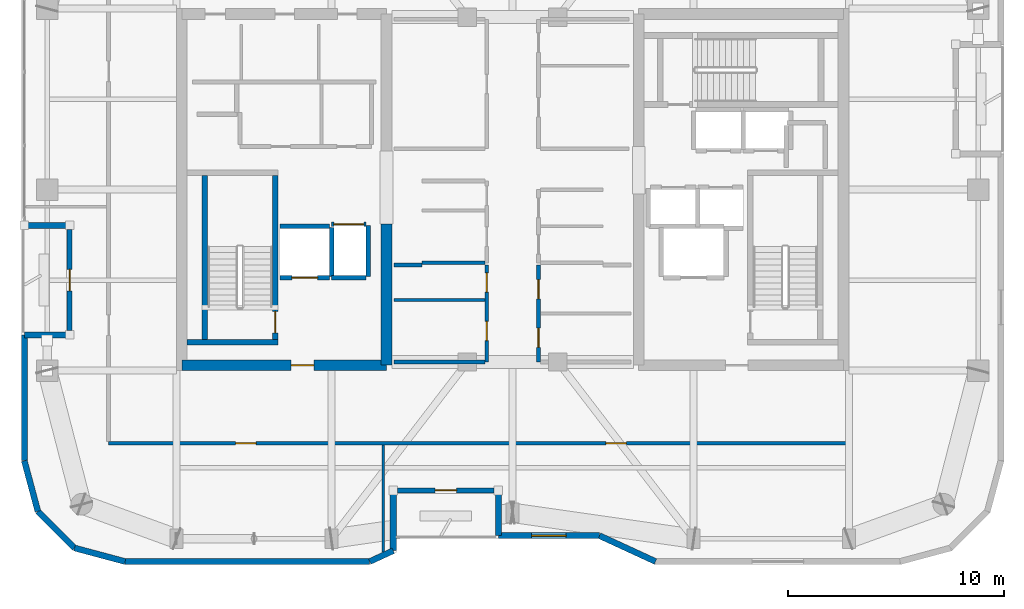
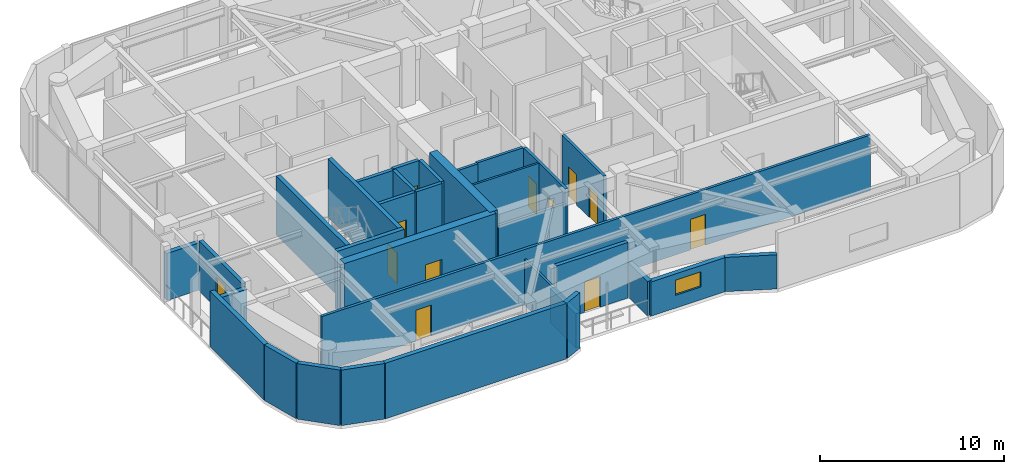
# One storey, part 10 of 15: 33 walls, 12 doors, 1 window, 13 openings.
"""IFC4 building model written with IfcOpenShell, lengths in metres."""

from ifc_helpers import new_model, si_unit, direction, frame, frame_2d, origin, place, context, subcontext, project, spatial, rectangle, extrude, material, layer, layer_set, type_object, element, fill, save


model = new_model("IFC4")

# Units and contexts
model_context = context("Model", 3, precision=1e-05, world=origin(), true_north=direction((0.0, 1.0)))
body_context = subcontext(model_context, "Body", "Model", "MODEL_VIEW")
ifc_project = project(units=[si_unit("LENGTHUNIT", "METRE"), si_unit("AREAUNIT", "SQUARE_METRE"), si_unit("VOLUMEUNIT", "CUBIC_METRE"), si_unit("PLANEANGLEUNIT", "RADIAN"), si_unit("MASSUNIT", "GRAM", prefix="KILO")], contexts=[model_context])

# Site, building, storey
site_placement = place(None, origin())
site = spatial("IfcSite", under=ifc_project, at=site_placement, CompositionType="ELEMENT")
building_placement = place(site_placement, origin())
building = spatial("IfcBuilding", under=site, at=building_placement, Name="Kiyonajd Concourse Tower", CompositionType="ELEMENT")
storey_placement = place(building_placement, frame((0.0, 0.0, 286.199951171875)))
storey = spatial("IfcBuildingStorey", under=building, at=storey_placement, Name="L72", CompositionType="ELEMENT", Elevation=286.199951171875)

# Wall
ifc_material_1 = material(Name="Concrete C60/75", Category="concrete")
ifc_layer_1 = layer(ifc_material_1, 0.5)
ifc_layer_set_1 = layer_set([ifc_layer_1], Name="Concrete C60/75")
wall_type_1 = type_object("IfcWallType", Name="WL-CORE-500", PredefinedType="SHEAR", material=ifc_layer_set_1)
wall_1_placement = place(storey_placement, frame((42.14990234375, 27.85009765625, 0.0), z_axis=(0.0, 0.0, 1.0), x_axis=(0.0, 1.0, 0.0)))
element("IfcWall", 1, at=wall_1_placement, inside=storey, type_object=wall_type_1, Name="L72 West Core Inner South Shear Wall", PredefinedType="SHEAR", context=body_context, shape_type="SweptSolid", body=[
    extrude(rectangle(XDim=6.5498046875, YDim=0.5, at=frame_2d((3.27490234375, 0.0))), origin(), (0.0, 0.0, 1.0), 3.900146484375),
])

# Wall, opening, door
wall_2_placement = place(storey_placement, frame((32.64990234375, 27.85009765625, 0.0), z_axis=(0.0, 0.0, 1.0), x_axis=(1.0, 0.0, 0.0)))
wall_2 = element("IfcWall", 2, at=wall_2_placement, inside=storey, type_object=wall_type_1, Name="L72 West Core South Shear Wall", PredefinedType="SHEAR", context=body_context, shape_type="SweptSolid", body=[
    extrude(rectangle(XDim=9.5, YDim=0.5, at=frame_2d((4.75, 0.0))), origin(), (0.0, 0.0, 1.0), 3.900146484375),
])
opening_1_placement = place(wall_2_placement, frame((5.074951171875, 0.0, 0.0)))
opening_1 = element("IfcOpeningElement", 3, at=opening_1_placement, cuts=wall_2, Name="Opening DF5", PredefinedType="OPENING", context=body_context, shape_type="SweptSolid", body=[
    extrude(rectangle(XDim=1.050048828125, YDim=2.0400390625, at=frame_2d((0.52490234375, 1.02001953125))), frame((0.0, 0.260009765625, 0.0), z_axis=(0.0, -1.0, 0.0), x_axis=(1.0, 0.0, 0.0)), (0.0, 0.0, 1.0), 0.52001953125),
])
ifc_material_2 = material(Name="Brushed Stainless Steel Cab Assembly", Category="steel")
door_type_1 = type_object("IfcDoorType", Name="DR-FD45-1050", OperationType="NOTDEFINED", PredefinedType="DOOR", material=ifc_material_2)
door_1_placement = place(opening_1_placement, origin())
door_1 = element("IfcDoor", 4, at=door_1_placement, inside=storey, type_object=door_type_1, Name="L72 Firefighting Lift Lobby W Smoke Door", OperationType="SINGLE_SWING_LEFT", OverallHeight=2.0400390625, OverallWidth=1.050048828125, PredefinedType="DOOR", context=body_context, shape_type="SweptSolid", body=[
    extrude(rectangle(XDim=1.050048828125, YDim=2.0400390625, at=frame_2d((0.52490234375, 1.02001953125))), frame((0.0, 0.02490234375, 0.0), z_axis=(0.0, -1.0, 0.0), x_axis=(1.0, 0.0, 0.0)), (0.0, 0.0, 1.0), 0.050048828125),
])
fill(opening_1, door_1)

# Walls
ifc_material_3 = material(Name="Precast concrete C50/60", Category="concrete")
ifc_layer_2 = layer(ifc_material_3, 0.280029296875)
ifc_layer_set_2 = layer_set([ifc_layer_2], Name="Precast concrete C50/60")
wall_type_2 = type_object("IfcWallType", Name="WL-EXT-280", PredefinedType="SOLIDWALL", material=ifc_layer_set_2)
wall_3_placement = place(storey_placement, frame((25.968505859375, 21.072509765625, 0.0), z_axis=(0.0, 0.0, 1.0), x_axis=(-0.258751159445, 0.965944013639, 0.0)))
element("IfcWall", 5, at=wall_3_placement, inside=storey, type_object=wall_type_2, Name="L72 Exterior Concrete Frame Wall 00", PredefinedType="SOLIDWALL", context=body_context, shape_type="SweptSolid", body=[
    extrude(rectangle(XDim=2.4287109375, YDim=0.280029296875, at=frame_2d((1.21435546875, 0.0))), origin(), (0.0, 0.0, 1.0), 3.679931640625),
])
wall_4_placement = place(storey_placement, frame((25.340087890625, 23.41845703125, 0.0), z_axis=(0.0, 0.0, 1.0), x_axis=(0.0, 1.0, 0.0)))
element("IfcWall", 6, at=wall_4_placement, inside=storey, type_object=wall_type_2, Name="L72 Exterior Concrete Frame Wall 01", PredefinedType="SOLIDWALL", context=body_context, shape_type="SweptSolid", body=[
    extrude(rectangle(XDim=5.841552734375, YDim=0.280029296875, at=frame_2d((2.9208984375, 0.0))), origin(), (0.0, 0.0, 1.0), 3.679931640625),
])
for number, where, z_axis, x_axis, name in (
    (7, (25.340087890625, 29.260009765625, 0.0), (0.0, 0.0, 1.0), (1.0, 0.0, 0.0), "L72 Exterior Concrete Frame Wall 02"),
    (8, (27.43994140625, 34.340087890625, 0.0), (0.0, 0.0, 1.0), (-1.0, 0.0, 0.0), "L72 Exterior Concrete Frame Wall 04"),
):
    element("IfcWall", number, at=place(storey_placement, frame(where, z_axis=z_axis, x_axis=x_axis)), inside=storey, type_object=wall_type_2, Name=name, PredefinedType="SOLIDWALL", context=body_context, shape_type="SweptSolid", body=[
        extrude(rectangle(XDim=2.099853515625, YDim=0.280029296875, at=frame_2d((1.0498046875, 0.0))), origin(), (0.0, 0.0, 1.0), 3.1259765625),
    ])
wall_5_placement = place(storey_placement, frame((54.630615234375, 18.739990234375, 0.0), z_axis=(0.0, 0.0, 1.0), x_axis=(-0.907956889006, 0.419063584324, 0.0)))
element("IfcWall", 9, at=wall_5_placement, inside=storey, type_object=wall_type_2, Name="L72 Exterior Concrete Frame Wall 29", PredefinedType="SOLIDWALL", context=body_context, shape_type="SweptSolid", body=[
    extrude(rectangle(XDim=2.863525390625, YDim=0.280029296875, at=frame_2d((1.431640625, 0.0))), origin(), (0.0, 0.0, 1.0), 2.26513671875),
])

# Wall, opening, window
wall_6_placement = place(storey_placement, frame((52.03076171875, 19.93994140625, 0.0), z_axis=(0.0, 0.0, 1.0), x_axis=(-1.0, 0.0, 0.0)))
wall_6 = element("IfcWall", 10, at=wall_6_placement, inside=storey, type_object=wall_type_2, Name="L72 Exterior Concrete Frame Wall 30", PredefinedType="SOLIDWALL", context=body_context, shape_type="SweptSolid", body=[
    extrude(rectangle(XDim=4.690673828125, YDim=0.280029296875, at=frame_2d((2.34521484375, 0.0))), origin(), (0.0, 0.0, 1.0), 2.26513671875),
])
opening_2_placement = place(wall_6_placement, frame((1.544921875, 0.0, 0.85009765625)))
opening_2 = element("IfcOpeningElement", 11, at=opening_2_placement, cuts=wall_6, Name="Opening WN6", PredefinedType="OPENING", context=body_context, shape_type="SweptSolid", body=[
    extrude(rectangle(XDim=1.60009765625, YDim=1.0, at=frame_2d((0.800048828125, 0.5))), frame((0.0, 0.14990234375, 0.0), z_axis=(0.0, -1.0, 0.0), x_axis=(1.0, 0.0, 0.0)), (0.0, 0.0, 1.0), 0.300048828125),
])
ifc_material_4 = material(Name="Double Low-E Insulated Glass", Category="glass")
window_type = type_object("IfcWindowType", Name="WN-VIS-1600x1000", PartitioningType="SINGLE_PANEL", PredefinedType="WINDOW", material=ifc_material_4)
window_placement = place(opening_2_placement, origin())
window = element("IfcWindow", 12, at=window_placement, inside=storey, type_object=window_type, Name="L72 Modular Facade Vision Window 30", OverallHeight=1.0, OverallWidth=1.60009765625, PartitioningType="SINGLE_PANEL", PredefinedType="WINDOW", context=body_context, shape_type="SweptSolid", body=[
    extrude(rectangle(XDim=1.60009765625, YDim=1.0, at=frame_2d((0.800048828125, 0.5))), frame((0.0, 0.030029296875, 0.0), z_axis=(0.0, -1.0, 0.0), x_axis=(1.0, 0.0, 0.0)), (0.0, 0.0, 1.0), 0.06005859375),
])
fill(opening_2, window)

# Walls
wall_7_placement = place(storey_placement, frame((47.340087890625, 19.93994140625, 0.0), z_axis=(0.0, 0.0, 1.0), x_axis=(0.0, 1.0, 0.0)))
element("IfcWall", 13, at=wall_7_placement, inside=storey, type_object=wall_type_2, Name="L72 Exterior Concrete Frame Wall 31", PredefinedType="SOLIDWALL", context=body_context, shape_type="SweptSolid", body=[
    extrude(rectangle(XDim=2.10009765625, YDim=0.280029296875, at=frame_2d((1.050048828125, 0.0))), origin(), (0.0, 0.0, 1.0), 2.26513671875),
])
wall_8_placement = place(storey_placement, frame((42.4599609375, 22.0400390625, 0.0), z_axis=(0.0, 0.0, 1.0), x_axis=(0.0, -1.0, 0.0)))
element("IfcWall", 14, at=wall_8_placement, inside=storey, type_object=wall_type_2, Name="L72 Exterior Concrete Frame Wall 33", PredefinedType="SOLIDWALL", context=body_context, shape_type="SweptSolid", body=[
    extrude(rectangle(XDim=2.79638671875, YDim=0.280029296875, at=frame_2d((1.398193359375, 0.0))), origin(), (0.0, 0.0, 1.0), 2.26513671875),
])
wall_9_placement = place(storey_placement, frame((42.4599609375, 19.24365234375, 0.0), z_axis=(0.0, 0.0, 1.0), x_axis=(-0.907893953211, -0.419199916176, 0.0)))
element("IfcWall", 15, at=wall_9_placement, inside=storey, type_object=wall_type_2, Name="L72 Exterior Concrete Frame Wall 34", PredefinedType="SOLIDWALL", context=body_context, shape_type="SweptSolid", body=[
    extrude(rectangle(XDim=1.201416015625, YDim=0.280029296875, at=frame_2d((0.6005859375, 0.0))), origin(), (0.0, 0.0, 1.0), 3.679931640625),
])
wall_10_placement = place(storey_placement, frame((41.369140625, 18.739990234375, 0.0), z_axis=(0.0, 0.0, 1.0), x_axis=(-1.0, 0.0, 0.0)))
element("IfcWall", 16, at=wall_10_placement, inside=storey, type_object=wall_type_2, Name="L72 Exterior Concrete Frame Wall 35", PredefinedType="SOLIDWALL", context=body_context, shape_type="SweptSolid", body=[
    extrude(rectangle(XDim=11.350830078125, YDim=0.280029296875, at=frame_2d((5.67529296875, 0.0))), origin(), (0.0, 0.0, 1.0), 3.679931640625),
])
wall_11_placement = place(storey_placement, frame((30.018310546875, 18.739990234375, 0.0), z_axis=(0.0, 0.0, 1.0), x_axis=(-0.965937282298, 0.25877628691, 0.0)))
element("IfcWall", 17, at=wall_11_placement, inside=storey, type_object=wall_type_2, Name="L72 Exterior Concrete Frame Wall 36", PredefinedType="SOLIDWALL", context=body_context, shape_type="SweptSolid", body=[
    extrude(rectangle(XDim=2.428466796875, YDim=0.280029296875, at=frame_2d((1.21435546875, 0.0))), origin(), (0.0, 0.0, 1.0), 3.679931640625),
])
wall_12_placement = place(storey_placement, frame((27.672607421875, 19.368408203125, 0.0), z_axis=(0.0, 0.0, 1.0), x_axis=(-0.707106781187, 0.707106781187, 0.0)))
element("IfcWall", 18, at=wall_12_placement, inside=storey, type_object=wall_type_2, Name="L72 Exterior Concrete Frame Wall 37", PredefinedType="SOLIDWALL", context=body_context, shape_type="SweptSolid", body=[
    extrude(rectangle(XDim=2.409912109375, YDim=0.280029296875, at=frame_2d((1.205078125, 0.0))), origin(), (0.0, 0.0, 1.0), 3.679931640625),
])

# Wall, opening, door
ifc_layer_3 = layer(ifc_material_3, 0.239990234375)
ifc_layer_set_3 = layer_set([ifc_layer_3], Name="Precast concrete C50/60")
wall_type_3 = type_object("IfcWallType", Name="WL-LOG-240", PredefinedType="SOLIDWALL", material=ifc_layer_set_3)
wall_13_placement = place(storey_placement, frame((27.43994140625, 29.455078125, 0.0), z_axis=(0.0, 0.0, 1.0), x_axis=(0.0, 1.0, 0.0)))
wall_13 = element("IfcWall", 19, at=wall_13_placement, inside=storey, type_object=wall_type_3, Name="L72 Recessed Loggia Thermal Wall LOG-W", PredefinedType="SOLIDWALL", context=body_context, shape_type="SweptSolid", body=[
    extrude(rectangle(XDim=4.68994140625, YDim=0.239990234375, at=frame_2d((2.344970703125, 0.0))), origin(), (0.0, 0.0, 1.0), 3.31103515625),
])
opening_3_placement = place(wall_13_placement, frame((1.844970703125, 0.0, 0.0)))
opening_3 = element("IfcOpeningElement", 20, at=opening_3_placement, cuts=wall_13, Name="Opening DL1", PredefinedType="OPENING", context=body_context, shape_type="SweptSolid", body=[
    extrude(rectangle(XDim=1.0, YDim=2.02001953125, at=frame_2d((0.5, 1.010009765625))), frame((0.0, 0.1298828125, 0.0), z_axis=(0.0, -1.0, 0.0), x_axis=(1.0, 0.0, 0.0)), (0.0, 0.0, 1.0), 0.260009765625),
])
ifc_material_5 = material(Name="Thermally Broken Anodised Aluminium", Category="aluminium")
door_type_2 = type_object("IfcDoorType", Name="DR-LOG-1000", OperationType="NOTDEFINED", PredefinedType="DOOR", material=ifc_material_5)
door_2_placement = place(opening_3_placement, origin())
door_2 = element("IfcDoor", 21, at=door_2_placement, inside=storey, type_object=door_type_2, Name="L72 Engawa Loggia Access Door LOG-W", OperationType="SINGLE_SWING_LEFT", OverallHeight=2.02001953125, OverallWidth=1.0, PredefinedType="DOOR", context=body_context, shape_type="SweptSolid", body=[
    extrude(rectangle(XDim=1.0, YDim=2.02001953125, at=frame_2d((0.5, 1.010009765625))), frame((0.0, 0.02490234375, 0.0), z_axis=(0.0, -1.0, 0.0), x_axis=(1.0, 0.0, 0.0)), (0.0, 0.0, 1.0), 0.050048828125),
])
fill(opening_3, door_2)

wall_14_placement = place(storey_placement, frame((47.14501953125, 22.0400390625, 0.0), z_axis=(0.0, 0.0, 1.0), x_axis=(-1.0, 0.0, 0.0)))
wall_14 = element("IfcWall", 22, at=wall_14_placement, inside=storey, type_object=wall_type_3, Name="L72 Recessed Loggia Thermal Wall LOG-S", PredefinedType="SOLIDWALL", context=body_context, shape_type="SweptSolid", body=[
    extrude(rectangle(XDim=4.489990234375, YDim=0.239990234375, at=frame_2d((2.2451171875, 0.0))), origin(), (0.0, 0.0, 1.0), 3.679931640625),
])
opening_4_placement = place(wall_14_placement, frame((1.7451171875, 0.0, 0.0)))
opening_4 = element("IfcOpeningElement", 23, at=opening_4_placement, cuts=wall_14, Name="Opening DL1", PredefinedType="OPENING", context=body_context, shape_type="SweptSolid", body=[
    extrude(rectangle(XDim=1.0, YDim=2.02001953125, at=frame_2d((0.5, 1.010009765625))), frame((0.0, 0.1298828125, 0.0), z_axis=(0.0, -1.0, 0.0), x_axis=(1.0, 0.0, 0.0)), (0.0, 0.0, 1.0), 0.260009765625),
])
door_3_placement = place(opening_4_placement, origin())
door_3 = element("IfcDoor", 24, at=door_3_placement, inside=storey, type_object=door_type_2, Name="L72 Engawa Loggia Access Door LOG-S", OperationType="SINGLE_SWING_RIGHT", OverallHeight=2.02001953125, OverallWidth=1.0, PredefinedType="DOOR", context=body_context, shape_type="SweptSolid", body=[
    extrude(rectangle(XDim=1.0, YDim=2.02001953125, at=frame_2d((0.5, 1.010009765625))), frame((0.0, 0.02490234375, 0.0), z_axis=(0.0, -1.0, 0.0), x_axis=(1.0, 0.0, 0.0)), (0.0, 0.0, 1.0), 0.050048828125),
])
fill(opening_4, door_3)

# Walls
ifc_material_6 = material(Name="Gypsum Board on Cold-Formed Steel Stud", Category="steel")
ifc_layer_4 = layer(ifc_material_6, 0.125)
ifc_layer_set_4 = layer_set([ifc_layer_4], Name="Gypsum Board on Cold-Formed Steel Stud")
wall_type_4 = type_object("IfcWallType", Name="WL-PART-125", PredefinedType="PARTITIONING", material=ifc_layer_set_4)
wall_15_placement = place(storey_placement, frame((42.5, 30.8798828125, 0.0), z_axis=(0.0, 0.0, 1.0), x_axis=(1.0, 0.0, 0.0)))
element("IfcWall", 25, at=wall_15_placement, inside=storey, type_object=wall_type_4, Name="L72 Interior Partition Wall", PredefinedType="PARTITIONING", context=body_context, shape_type="SweptSolid", body=[
    extrude(rectangle(XDim=4.212890625, YDim=0.125, at=frame_2d((2.1064453125, 0.0))), origin(), (0.0, 0.0, 1.0), 3.679931640625),
])
wall_16_placement = place(storey_placement, frame((42.0, 19.18310546875, 0.0), z_axis=(0.0, 0.0, 1.0), x_axis=(0.0, 1.0, 0.0)))
element("IfcWall", 26, at=wall_16_placement, inside=storey, type_object=wall_type_4, Name="L72 Interior Partition Wall", PredefinedType="PARTITIONING", context=body_context, shape_type="SweptSolid", body=[
    extrude(rectangle(XDim=4.9599609375, YDim=0.125, at=frame_2d((2.47998046875, 0.0))), origin(), (0.0, 0.0, 1.0), 3.04296875),
])

# Wall, opening, door
ifc_layer_5 = layer(ifc_material_6, 0.2099609375)
ifc_layer_set_5 = layer_set([ifc_layer_5], Name="Gypsum Board on Cold-Formed Steel Stud")
wall_type_5 = type_object("IfcWallType", Name="WL-SHAFT-210", PredefinedType="PARTITIONING", material=ifc_layer_set_5)
wall_17_placement = place(storey_placement, frame((37.199951171875, 31.89990234375, 0.0), z_axis=(0.0, 0.0, 1.0), x_axis=(1.0, 0.0, 0.0)))
wall_17 = element("IfcWall", 27, at=wall_17_placement, inside=storey, type_object=wall_type_5, Name="L72 Shaft Enclosure Wall", PredefinedType="PARTITIONING", context=body_context, shape_type="SweptSolid", body=[
    extrude(rectangle(XDim=2.300048828125, YDim=0.2099609375, at=frame_2d((1.14990234375, 0.0))), origin(), (0.0, 0.0, 1.0), 3.679931640625),
])
opening_5_placement = place(wall_17_placement, frame((0.550048828125, 0.0, 0.0)))
opening_5 = element("IfcOpeningElement", 28, at=opening_5_placement, cuts=wall_17, Name="Opening LD2", PredefinedType="OPENING", context=body_context, shape_type="SweptSolid", body=[
    extrude(rectangle(XDim=1.199951171875, YDim=2.0400390625, at=frame_2d((0.60009765625, 1.02001953125))), frame((0.0, 0.114990234375, 0.0), z_axis=(0.0, -1.0, 0.0), x_axis=(1.0, 0.0, 0.0)), (0.0, 0.0, 1.0), 0.22998046875),
])
door_type_3 = type_object("IfcDoorType", Name="DR-LD-1200", OperationType="DOUBLE_DOOR_SLIDING", PredefinedType="DOOR", material=ifc_material_2)
door_4_placement = place(opening_5_placement, origin())
door_4 = element("IfcDoor", 29, at=door_4_placement, inside=storey, type_object=door_type_3, Name="L72 Lift FFL1 Sliding Landing Door", OperationType="DOUBLE_DOOR_SLIDING", OverallHeight=2.0400390625, OverallWidth=1.199951171875, PredefinedType="DOOR", context=body_context, shape_type="SweptSolid", body=[
    extrude(rectangle(XDim=1.199951171875, YDim=2.0400390625, at=frame_2d((0.60009765625, 1.02001953125))), frame((0.0, 0.02490234375, 0.0), z_axis=(0.0, -1.0, 0.0), x_axis=(1.0, 0.0, 0.0)), (0.0, 0.0, 1.0), 0.050048828125),
])
fill(opening_5, door_4)

# Walls
wall_18_placement = place(storey_placement, frame((37.199951171875, 34.300048828125, 0.0), z_axis=(0.0, 0.0, 1.0), x_axis=(1.0, 0.0, 0.0)))
element("IfcWall", 30, at=wall_18_placement, inside=storey, type_object=wall_type_5, Name="L72 Shaft Enclosure Wall", PredefinedType="PARTITIONING", context=body_context, shape_type="SweptSolid", body=[
    extrude(rectangle(XDim=2.300048828125, YDim=0.2099609375, at=frame_2d((1.14990234375, 0.0))), origin(), (0.0, 0.0, 1.0), 3.679931640625),
])
wall_19_placement = place(storey_placement, frame((39.60009765625, 31.9599609375, 0.0), z_axis=(0.0, 0.0, 1.0), x_axis=(0.0, 1.0, 0.0)))
element("IfcWall", 31, at=wall_19_placement, inside=storey, type_object=wall_type_5, Name="L72 Shaft Enclosure Wall", PredefinedType="PARTITIONING", context=body_context, shape_type="SweptSolid", body=[
    extrude(rectangle(XDim=2.280029296875, YDim=0.2099609375, at=frame_2d((1.14013671875, 0.0))), origin(), (0.0, 0.0, 1.0), 3.679931640625),
])

# Wall, opening, door
wall_20_placement = place(storey_placement, frame((39.60009765625, 34.39990234375, 0.0), z_axis=(0.0, 0.0, 1.0), x_axis=(1.0, 0.0, 0.0)))
wall_20 = element("IfcWall", 32, at=wall_20_placement, inside=storey, type_object=wall_type_5, Name="L72 Shaft Enclosure Wall", PredefinedType="PARTITIONING", context=body_context, shape_type="SweptSolid", body=[
    extrude(rectangle(XDim=1.599853515625, YDim=0.2099609375, at=frame_2d((0.7998046875, 0.0))), origin(), (0.0, 0.0, 1.0), 3.679931640625),
])
opening_6_placement = place(wall_20_placement, frame((0.10009765625, 0.0, 0.0)))
opening_6 = element("IfcOpeningElement", 33, at=opening_6_placement, cuts=wall_20, Name="Opening LD3", PredefinedType="OPENING", context=body_context, shape_type="SweptSolid", body=[
    extrude(rectangle(XDim=1.39990234375, YDim=2.06005859375, at=frame_2d((0.699951171875, 1.030029296875))), frame((0.0, 0.114990234375, 0.0), z_axis=(0.0, -1.0, 0.0), x_axis=(1.0, 0.0, 0.0)), (0.0, 0.0, 1.0), 0.22998046875),
])
door_type_4 = type_object("IfcDoorType", Name="DR-LD-1400", OperationType="DOUBLE_DOOR_SLIDING", PredefinedType="DOOR", material=ifc_material_2)
door_5_placement = place(opening_6_placement, origin())
door_5 = element("IfcDoor", 34, at=door_5_placement, inside=storey, type_object=door_type_4, Name="L72 Lift SVL1 Sliding Landing Door", OperationType="DOUBLE_DOOR_SLIDING", OverallHeight=2.06005859375, OverallWidth=1.39990234375, PredefinedType="DOOR", context=body_context, shape_type="SweptSolid", body=[
    extrude(rectangle(XDim=1.39990234375, YDim=2.06005859375, at=frame_2d((0.699951171875, 1.030029296875))), frame((0.0, 0.02490234375, 0.0), z_axis=(0.0, -1.0, 0.0), x_axis=(1.0, 0.0, 0.0)), (0.0, 0.0, 1.0), 0.050048828125),
])
fill(opening_6, door_5)

# Walls
wall_21_placement = place(storey_placement, frame((39.60009765625, 31.89990234375, 0.0), z_axis=(0.0, 0.0, 1.0), x_axis=(1.0, 0.0, 0.0)))
element("IfcWall", 35, at=wall_21_placement, inside=storey, type_object=wall_type_5, Name="L72 Shaft Enclosure Wall", PredefinedType="PARTITIONING", context=body_context, shape_type="SweptSolid", body=[
    extrude(rectangle(XDim=1.599853515625, YDim=0.2099609375, at=frame_2d((0.7998046875, 0.0))), origin(), (0.0, 0.0, 1.0), 3.679931640625),
])
wall_22_placement = place(storey_placement, frame((41.300048828125, 31.9599609375, 0.0), z_axis=(0.0, 0.0, 1.0), x_axis=(0.0, 1.0, 0.0)))
element("IfcWall", 36, at=wall_22_placement, inside=storey, type_object=wall_type_5, Name="L72 Shaft Enclosure Wall", PredefinedType="PARTITIONING", context=body_context, shape_type="SweptSolid", body=[
    extrude(rectangle(XDim=2.380126953125, YDim=0.2099609375, at=frame_2d((1.18994140625, 0.0))), origin(), (0.0, 0.0, 1.0), 3.679931640625),
])
ifc_layer_6 = layer(ifc_material_6, 0.169921875)
ifc_layer_set_6 = layer_set([ifc_layer_6], Name="Gypsum Board on Cold-Formed Steel Stud")
wall_type_6 = type_object("IfcWallType", Name="WL-SMK-170", PredefinedType="PARTITIONING", material=ifc_layer_set_6)
wall_23_placement = place(storey_placement, frame((43.800048828125, 32.60009765625, 0.0), z_axis=(0.0, 0.0, 1.0), x_axis=(1.0, 0.0, 0.0)))
element("IfcWall", 37, at=wall_23_placement, inside=storey, type_object=wall_type_6, Name="L72 Interior Partition Wall", PredefinedType="PARTITIONING", context=body_context, shape_type="SweptSolid", body=[
    extrude(rectangle(XDim=2.912841796875, YDim=0.169921875, at=frame_2d((1.45654296875, 0.0))), origin(), (0.0, 0.0, 1.0), 3.679931640625),
])

# Wall, openings, doors
wall_24_placement = place(storey_placement, frame((46.800048828125, 28.0, 0.0), z_axis=(0.0, 0.0, 1.0), x_axis=(0.0, 1.0, 0.0)))
wall_24 = element("IfcWall", 38, at=wall_24_placement, inside=storey, type_object=wall_type_6, Name="L72 Interior Partition Wall", PredefinedType="PARTITIONING", context=body_context, shape_type="SweptSolid", body=[
    extrude(rectangle(XDim=4.5, YDim=0.169921875, at=frame_2d((2.25, 0.0))), origin(), (0.0, 0.0, 1.0), 3.679931640625),
])
opening_7_placement = place(wall_24_placement, frame((0.989990234375, 0.0, 0.0)))
opening_7 = element("IfcOpeningElement", 39, at=opening_7_placement, cuts=wall_24, Name="Opening DF4", PredefinedType="OPENING", context=body_context, shape_type="SweptSolid", body=[
    extrude(rectangle(XDim=0.89990234375, YDim=2.02001953125, at=frame_2d((0.449951171875, 1.010009765625))), frame((0.0, 0.094970703125, 0.0), z_axis=(0.0, -1.0, 0.0), x_axis=(1.0, 0.0, 0.0)), (0.0, 0.0, 1.0), 0.18994140625),
])
opening_8_placement = place(wall_24_placement, frame((3.239990234375, 0.0, 0.0)))
opening_8 = element("IfcOpeningElement", 40, at=opening_8_placement, cuts=wall_24, Name="Opening DF4", PredefinedType="OPENING", context=body_context, shape_type="SweptSolid", body=[
    extrude(rectangle(XDim=0.89990234375, YDim=2.02001953125, at=frame_2d((0.449951171875, 1.010009765625))), frame((0.0, 0.094970703125, 0.0), z_axis=(0.0, -1.0, 0.0), x_axis=(1.0, 0.0, 0.0)), (0.0, 0.0, 1.0), 0.18994140625),
])
door_type_5 = type_object("IfcDoorType", Name="DR-FD60-900", OperationType="NOTDEFINED", PredefinedType="DOOR", material=ifc_material_2)
door_6_placement = place(opening_7_placement, origin())
door_6 = element("IfcDoor", 41, at=door_6_placement, inside=storey, type_object=door_type_5, Name="L72 Interior Door", OperationType="SINGLE_SWING_LEFT", OverallHeight=2.02001953125, OverallWidth=0.89990234375, PredefinedType="DOOR", context=body_context, shape_type="SweptSolid", body=[
    extrude(rectangle(XDim=0.89990234375, YDim=2.02001953125, at=frame_2d((0.449951171875, 1.010009765625))), frame((0.0, 0.02490234375, 0.0), z_axis=(0.0, -1.0, 0.0), x_axis=(1.0, 0.0, 0.0)), (0.0, 0.0, 1.0), 0.050048828125),
])
fill(opening_7, door_6)
door_7_placement = place(opening_8_placement, origin())
door_7 = element("IfcDoor", 42, at=door_7_placement, inside=storey, type_object=door_type_5, Name="L72 Interior Door", OperationType="SINGLE_SWING_RIGHT", OverallHeight=2.02001953125, OverallWidth=0.89990234375, PredefinedType="DOOR", context=body_context, shape_type="SweptSolid", body=[
    extrude(rectangle(XDim=0.89990234375, YDim=2.02001953125, at=frame_2d((0.449951171875, 1.010009765625))), frame((0.0, 0.02490234375, 0.0), z_axis=(0.0, -1.0, 0.0), x_axis=(1.0, 0.0, 0.0)), (0.0, 0.0, 1.0), 0.050048828125),
])
fill(opening_8, door_7)

# Walls
wall_25_placement = place(storey_placement, frame((42.5, 28.0, 0.0), z_axis=(0.0, 0.0, 1.0), x_axis=(1.0, 0.0, 0.0)))
element("IfcWall", 43, at=wall_25_placement, inside=storey, type_object=wall_type_6, Name="L72 Interior Partition Wall", PredefinedType="PARTITIONING", context=body_context, shape_type="SweptSolid", body=[
    extrude(rectangle(XDim=4.212890625, YDim=0.169921875, at=frame_2d((2.1064453125, 0.0))), origin(), (0.0, 0.0, 1.0), 2.76513671875),
])
wall_26_placement = place(storey_placement, frame((42.5, 32.5, 0.0), z_axis=(0.0, 0.0, 1.0), x_axis=(1.0, 0.0, 0.0)))
element("IfcWall", 44, at=wall_26_placement, inside=storey, type_object=wall_type_6, Name="L72 Interior Partition Wall", PredefinedType="PARTITIONING", context=body_context, shape_type="SweptSolid", body=[
    extrude(rectangle(XDim=1.300048828125, YDim=0.169921875, at=frame_2d((0.64990234375, 0.0))), origin(), (0.0, 0.0, 1.0), 3.679931640625),
])

# Wall, openings, doors
wall_27_placement = place(storey_placement, frame((49.199951171875, 28.0, 0.0), z_axis=(0.0, 0.0, 1.0), x_axis=(0.0, 1.0, 0.0)))
wall_27 = element("IfcWall", 45, at=wall_27_placement, inside=storey, type_object=wall_type_6, Name="L72 Interior Partition Wall", PredefinedType="PARTITIONING", context=body_context, shape_type="SweptSolid", body=[
    extrude(rectangle(XDim=4.5, YDim=0.169921875, at=frame_2d((2.25, 0.0))), origin(), (0.0, 0.0, 1.0), 3.679931640625),
])
opening_9_placement = place(wall_27_placement, frame((0.675048828125, 0.0, 0.0)))
opening_9 = element("IfcOpeningElement", 46, at=opening_9_placement, cuts=wall_27, Name="Opening DI2", PredefinedType="OPENING", context=body_context, shape_type="SweptSolid", body=[
    extrude(rectangle(XDim=0.89990234375, YDim=2.02001953125, at=frame_2d((0.449951171875, 1.010009765625))), frame((0.0, 0.094970703125, 0.0), z_axis=(0.0, -1.0, 0.0), x_axis=(1.0, 0.0, 0.0)), (0.0, 0.0, 1.0), 0.18994140625),
])
opening_10_placement = place(wall_27_placement, frame((2.925048828125, 0.0, 0.0)))
opening_10 = element("IfcOpeningElement", 47, at=opening_10_placement, cuts=wall_27, Name="Opening DI2", PredefinedType="OPENING", context=body_context, shape_type="SweptSolid", body=[
    extrude(rectangle(XDim=0.89990234375, YDim=2.02001953125, at=frame_2d((0.449951171875, 1.010009765625))), frame((0.0, 0.094970703125, 0.0), z_axis=(0.0, -1.0, 0.0), x_axis=(1.0, 0.0, 0.0)), (0.0, 0.0, 1.0), 0.18994140625),
])
ifc_material_7 = material(Name="Natural Oak Acoustic Timber Veneer", Category="wood")
door_type_6 = type_object("IfcDoorType", Name="DR-INT-900", OperationType="NOTDEFINED", PredefinedType="DOOR", material=ifc_material_7)
door_8_placement = place(opening_9_placement, origin())
door_8 = element("IfcDoor", 48, at=door_8_placement, inside=storey, type_object=door_type_6, Name="L72 Interior Door", OperationType="SINGLE_SWING_LEFT", OverallHeight=2.02001953125, OverallWidth=0.89990234375, PredefinedType="DOOR", context=body_context, shape_type="SweptSolid", body=[
    extrude(rectangle(XDim=0.89990234375, YDim=2.02001953125, at=frame_2d((0.449951171875, 1.010009765625))), frame((0.0, 0.02490234375, 0.0), z_axis=(0.0, -1.0, 0.0), x_axis=(1.0, 0.0, 0.0)), (0.0, 0.0, 1.0), 0.050048828125),
])
fill(opening_9, door_8)
door_9_placement = place(opening_10_placement, origin())
door_9 = element("IfcDoor", 49, at=door_9_placement, inside=storey, type_object=door_type_6, Name="L72 Interior Door", OperationType="SINGLE_SWING_RIGHT", OverallHeight=2.02001953125, OverallWidth=0.89990234375, PredefinedType="DOOR", context=body_context, shape_type="SweptSolid", body=[
    extrude(rectangle(XDim=0.89990234375, YDim=2.02001953125, at=frame_2d((0.449951171875, 1.010009765625))), frame((0.0, 0.02490234375, 0.0), z_axis=(0.0, -1.0, 0.0), x_axis=(1.0, 0.0, 0.0)), (0.0, 0.0, 1.0), 0.050048828125),
])
fill(opening_10, door_9)

wall_28_placement = place(storey_placement, frame((29.25, 24.22998046875, 0.0), z_axis=(0.0, 0.0, 1.0), x_axis=(1.0, 0.0, 0.0)))
wall_28 = element("IfcWall", 50, at=wall_28_placement, inside=storey, type_object=wall_type_6, Name="L72 Interior Partition Wall", PredefinedType="PARTITIONING", context=body_context, shape_type="SweptSolid", body=[
    extrude(rectangle(XDim=34.35009765625, YDim=0.169921875, at=frame_2d((17.175048828125, 0.0))), origin(), (0.0, 0.0, 1.0), 3.679931640625),
])
opening_11_placement = place(wall_28_placement, frame((5.89990234375, 0.0, 0.0)))
opening_11 = element("IfcOpeningElement", 51, at=opening_11_placement, cuts=wall_28, Name="Opening DI1", PredefinedType="OPENING", context=body_context, shape_type="SweptSolid", body=[
    extrude(rectangle(XDim=0.949951171875, YDim=2.0400390625, at=frame_2d((0.47509765625, 1.02001953125))), frame((0.0, 0.094970703125, 0.0), z_axis=(0.0, -1.0, 0.0), x_axis=(1.0, 0.0, 0.0)), (0.0, 0.0, 1.0), 0.18994140625),
])
opening_12_placement = place(wall_28_placement, frame((23.074951171875, 0.0, 0.0)))
opening_12 = element("IfcOpeningElement", 52, at=opening_12_placement, cuts=wall_28, Name="Opening DI1", PredefinedType="OPENING", context=body_context, shape_type="SweptSolid", body=[
    extrude(rectangle(XDim=0.949951171875, YDim=2.0400390625, at=frame_2d((0.47509765625, 1.02001953125))), frame((0.0, 0.094970703125, 0.0), z_axis=(0.0, -1.0, 0.0), x_axis=(1.0, 0.0, 0.0)), (0.0, 0.0, 1.0), 0.18994140625),
])
door_type_7 = type_object("IfcDoorType", Name="DR-INT-950", OperationType="NOTDEFINED", PredefinedType="DOOR", material=ifc_material_7)
door_10_placement = place(opening_11_placement, origin())
door_10 = element("IfcDoor", 53, at=door_10_placement, inside=storey, type_object=door_type_7, Name="L72 Interior Door", OperationType="SINGLE_SWING_RIGHT", OverallHeight=2.0400390625, OverallWidth=0.949951171875, PredefinedType="DOOR", context=body_context, shape_type="SweptSolid", body=[
    extrude(rectangle(XDim=0.949951171875, YDim=2.0400390625, at=frame_2d((0.47509765625, 1.02001953125))), frame((0.0, 0.02490234375, 0.0), z_axis=(0.0, -1.0, 0.0), x_axis=(1.0, 0.0, 0.0)), (0.0, 0.0, 1.0), 0.050048828125),
])
fill(opening_11, door_10)
door_11_placement = place(opening_12_placement, origin())
door_11 = element("IfcDoor", 54, at=door_11_placement, inside=storey, type_object=door_type_7, Name="L72 Interior Door", OperationType="SINGLE_SWING_LEFT", OverallHeight=2.0400390625, OverallWidth=0.949951171875, PredefinedType="DOOR", context=body_context, shape_type="SweptSolid", body=[
    extrude(rectangle(XDim=0.949951171875, YDim=2.0400390625, at=frame_2d((0.47509765625, 1.02001953125))), frame((0.0, 0.02490234375, 0.0), z_axis=(0.0, -1.0, 0.0), x_axis=(1.0, 0.0, 0.0)), (0.0, 0.0, 1.0), 0.050048828125),
])
fill(opening_12, door_11)

# Walls
ifc_material_8 = material(Name="Concrete C50/60", Category="concrete")
ifc_layer_7 = layer(ifc_material_8, 0.260009765625)
ifc_layer_set_7 = layer_set([ifc_layer_7], Name="Concrete C50/60")
wall_type_7 = type_object("IfcWallType", Name="WL-STAIR-260", PredefinedType="SHEAR", material=ifc_layer_set_7)
wall_29_placement = place(storey_placement, frame((32.89990234375, 28.919921875, 0.0), z_axis=(0.0, 0.0, 1.0), x_axis=(1.0, 0.0, 0.0)))
element("IfcWall", 55, at=wall_29_placement, inside=storey, type_object=wall_type_7, Name="L72 Stair ST1 Structural South Wall", PredefinedType="SHEAR", context=body_context, shape_type="SweptSolid", body=[
    extrude(rectangle(XDim=4.210205078125, YDim=0.260009765625, at=frame_2d((2.10498046875, 0.0))), origin(), (0.0, 0.0, 1.0), 3.900146484375),
])
wall_30_placement = place(storey_placement, frame((33.719970703125, 29.050048828125, 0.0), z_axis=(0.0, 0.0, 1.0), x_axis=(0.0, 1.0, 0.0)))
element("IfcWall", 56, at=wall_30_placement, inside=storey, type_object=wall_type_7, Name="L72 Stair ST1 Structural West Wall", PredefinedType="SHEAR", context=body_context, shape_type="SweptSolid", body=[
    extrude(rectangle(XDim=7.599853515625, YDim=0.260009765625, at=frame_2d((3.7998046875, 0.0))), origin(), (0.0, 0.0, 1.0), 3.900146484375),
])

# Wall, opening, door
wall_31_placement = place(storey_placement, frame((36.97998046875, 29.050048828125, 0.0), z_axis=(0.0, 0.0, 1.0), x_axis=(0.0, 1.0, 0.0)))
wall_31 = element("IfcWall", 57, at=wall_31_placement, inside=storey, type_object=wall_type_7, Name="L72 Stair ST1 Structural East Wall", PredefinedType="SHEAR", context=body_context, shape_type="SweptSolid", body=[
    extrude(rectangle(XDim=7.599853515625, YDim=0.260009765625, at=frame_2d((3.7998046875, 0.0))), origin(), (0.0, 0.0, 1.0), 3.900146484375),
])
opening_13_placement = place(wall_31_placement, frame((0.300048828125, 0.0, 0.0)))
opening_13 = element("IfcOpeningElement", 58, at=opening_13_placement, cuts=wall_31, Name="Opening DF1", PredefinedType="OPENING", context=body_context, shape_type="SweptSolid", body=[
    extrude(rectangle(XDim=1.0, YDim=2.0400390625, at=frame_2d((0.5, 1.02001953125))), frame((0.0, 0.139892578125, 0.0), z_axis=(0.0, -1.0, 0.0), x_axis=(1.0, 0.0, 0.0)), (0.0, 0.0, 1.0), 0.280029296875),
])
door_type_8 = type_object("IfcDoorType", Name="DR-FD90-1000", OperationType="NOTDEFINED", PredefinedType="DOOR", material=ifc_material_2)
door_12_placement = place(opening_13_placement, origin())
door_12 = element("IfcDoor", 59, at=door_12_placement, inside=storey, type_object=door_type_8, Name="L72 Stair ST1 FSAE Door", OperationType="SINGLE_SWING_LEFT", OverallHeight=2.0400390625, OverallWidth=1.0, PredefinedType="DOOR", context=body_context, shape_type="SweptSolid", body=[
    extrude(rectangle(XDim=1.0, YDim=2.0400390625, at=frame_2d((0.5, 1.02001953125))), frame((0.0, 0.02490234375, 0.0), z_axis=(0.0, -1.0, 0.0), x_axis=(1.0, 0.0, 0.0)), (0.0, 0.0, 1.0), 0.050048828125),
])
fill(opening_13, door_12)

save(model, "model.ifc")
